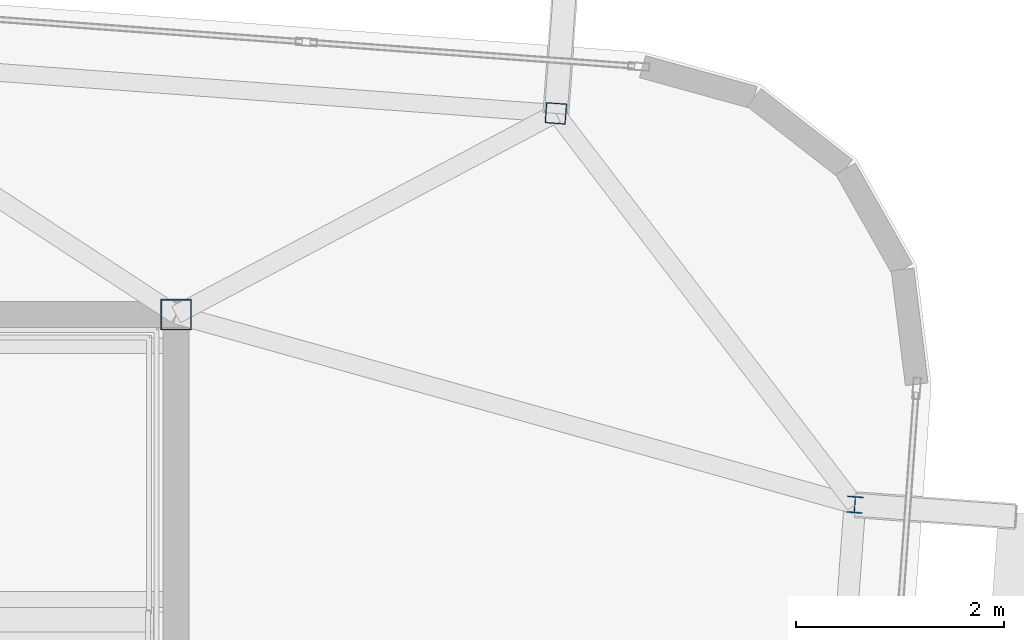
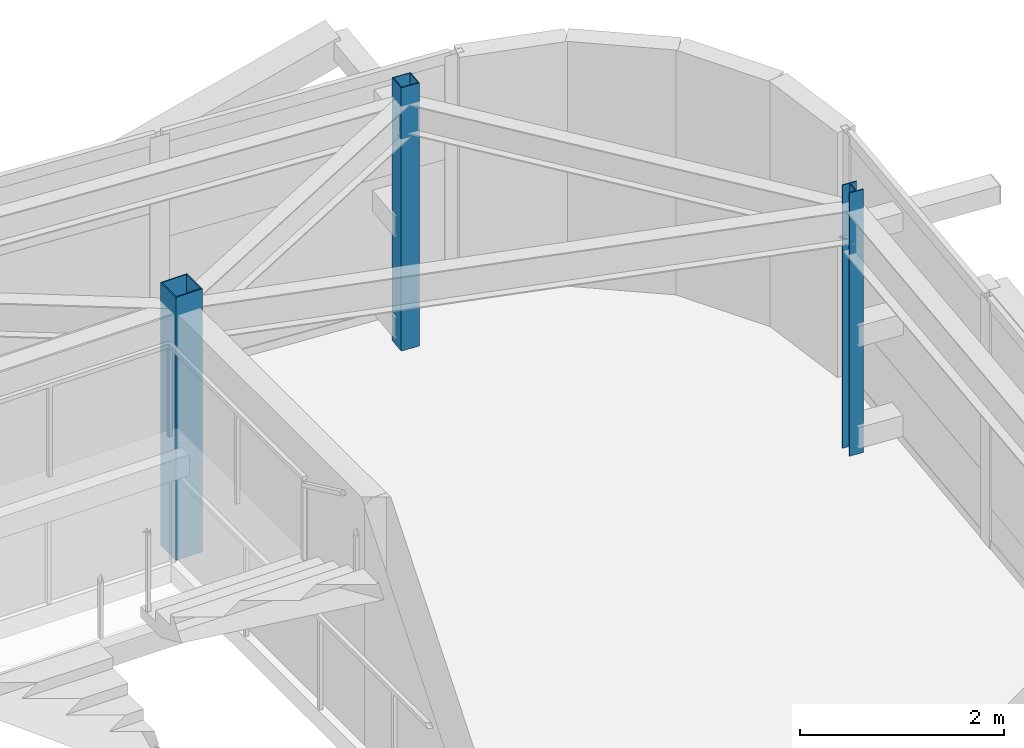
# One storey, part 6 of 42: 3 columns.
"""IFC4 building model written with IfcOpenShell, lengths in metres."""

from ifc_helpers import new_model, si_unit, direction, frame, origin, origin_2d, place, context, subcontext, project, spatial, hollow_rectangle, i_section, extrude, source, transform, mapped, material, material_profile, profile_set, type_object, element, save


model = new_model("IFC4")

# Units and contexts
model_context = context("Model", 3, precision=1e-05, world=origin(), true_north=direction((0.0, 1.0)))
body_context = subcontext(model_context, "Body", "Model", "MODEL_VIEW")
ifc_project = project(units=[si_unit("LENGTHUNIT", "METRE"), si_unit("AREAUNIT", "SQUARE_METRE"), si_unit("VOLUMEUNIT", "CUBIC_METRE"), si_unit("PLANEANGLEUNIT", "RADIAN"), si_unit("MASSUNIT", "GRAM", prefix="KILO")], contexts=[model_context])

# Site, building, storey
site_placement = place(None, origin())
site = spatial("IfcSite", under=ifc_project, at=site_placement, CompositionType="ELEMENT")
building_placement = place(site_placement, origin())
building = spatial("IfcBuilding", under=site, at=building_placement, Name="Taldren Reach Tower", CompositionType="ELEMENT")
storey_placement = place(building_placement, frame((0.0, 0.0, 217.699951171875)))
storey = spatial("IfcBuildingStorey", under=building, at=storey_placement, Name="L66", CompositionType="ELEMENT", Elevation=217.699951171875)

# Columns
ifc_material_1 = material(Name="Steel Gr 450 (C450L0)", Category="steel")
ifc_material_profile_1 = material_profile(ifc_material_1, hollow_rectangle(XDim=0.300048828125, YDim=0.300048828125, WallThickness=0.012451171875, at=origin_2d()), Name="300x300x12.5SHS")
ifc_profile_set_1 = profile_set([ifc_material_profile_1], Name="Steel Gr 450 (C450L0)")
column_type_1 = type_object("IfcColumnType", Name="COL-SHS300", PredefinedType="COLUMN", material=ifc_profile_set_1)
shared_shape_1 = source(origin(), body_context, "Body", "SweptSolid", [
    extrude(hollow_rectangle(XDim=0.300048828125, YDim=0.300048828125, WallThickness=0.012451171875, at=origin_2d()), origin(), (0.0, 0.0, 1.0), 3.150146484375),
])
column_1_placement = place(storey_placement, frame((51.0, 32.0, 0.0), z_axis=(0.0, 0.0, 1.0), x_axis=(1.0, 0.0, 0.0)))
element("IfcColumn", 1, at=column_1_placement, inside=storey, type_object=column_type_1, Name="Mega column MC-C8 L66", PredefinedType="COLUMN", context=body_context, shape_type="MappedRepresentation", body=[
    mapped(shared_shape_1, transform((0.0, 0.0, 0.0), scale=1.0)),
])
ifc_material_2 = material(Name="Steel Gr 350 (C350L0)", Category="steel")
ifc_material_profile_2 = material_profile(ifc_material_2, hollow_rectangle(XDim=0.199951171875, YDim=0.199951171875, WallThickness=0.009033203125, at=origin_2d()), Name="200x200x9.0SHS")
ifc_profile_set_2 = profile_set([ifc_material_profile_2], Name="Steel Gr 350 (C350L0)")
column_type_2 = type_object("IfcColumnType", Name="COL-SHS200", PredefinedType="COLUMN", material=ifc_profile_set_2)
shared_shape_2 = source(origin(), body_context, "Body", "SweptSolid", [
    extrude(hollow_rectangle(XDim=0.199951171875, YDim=0.199951171875, WallThickness=0.009033203125, at=origin_2d()), origin(), (0.0, 0.0, 1.0), 3.150146484375),
])
column_2_placement = place(storey_placement, frame((54.659423828125, 33.939697265625, 0.0), z_axis=(0.0, 0.0, 1.0), x_axis=(0.997314477224, -0.073238197128, 0.0)))
element("IfcColumn", 2, at=column_2_placement, inside=storey, type_object=column_type_2, Name="Block B5 perimeter column N6 L66", PredefinedType="COLUMN", context=body_context, shape_type="MappedRepresentation", body=[
    mapped(shared_shape_2, transform((0.0, 0.0, 0.0), scale=1.0)),
])
ifc_material_3 = material(Name="Steel Gr 350 (350PLUS)", Category="steel")
ifc_material_profile_3 = material_profile(ifc_material_3, i_section(OverallWidth=0.154052734375, OverallDepth=0.162109375, WebThickness=0.008056640625, FlangeThickness=0.011474609375, at=origin_2d()), Name="150UC37.2")
ifc_profile_set_3 = profile_set([ifc_material_profile_3], Name="Steel Gr 350 (350PLUS)")
column_type_3 = type_object("IfcColumnType", Name="COL-UC150", PredefinedType="COLUMN", material=ifc_profile_set_3)
shared_shape_3 = source(origin(), body_context, "Body", "SweptSolid", [
    extrude(i_section(OverallWidth=0.154052734375, OverallDepth=0.162109375, WebThickness=0.008056640625, FlangeThickness=0.011474609375, at=origin_2d()), origin(), (0.0, 0.0, 1.0), 3.150146484375),
])
column_3_placement = place(storey_placement, frame((57.540771484375, 30.168701171875, 0.0), z_axis=(0.0, 0.0, 1.0), x_axis=(0.997314477224, -0.073238197128, 0.0)))
element("IfcColumn", 3, at=column_3_placement, inside=storey, type_object=column_type_3, Name="Block B5 perimeter column E3 L66", PredefinedType="COLUMN", context=body_context, shape_type="MappedRepresentation", body=[
    mapped(shared_shape_3, transform((0.0, 0.0, 0.0), scale=1.0)),
])

save(model, "model.ifc")
